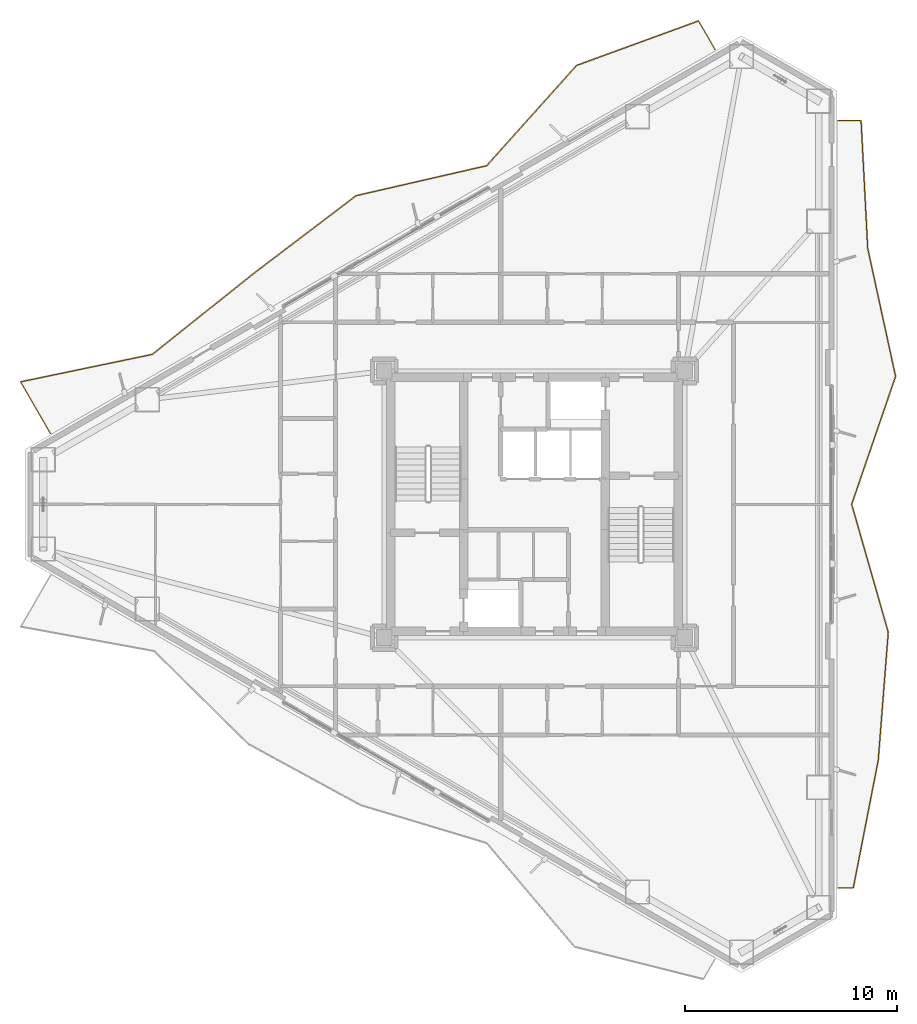
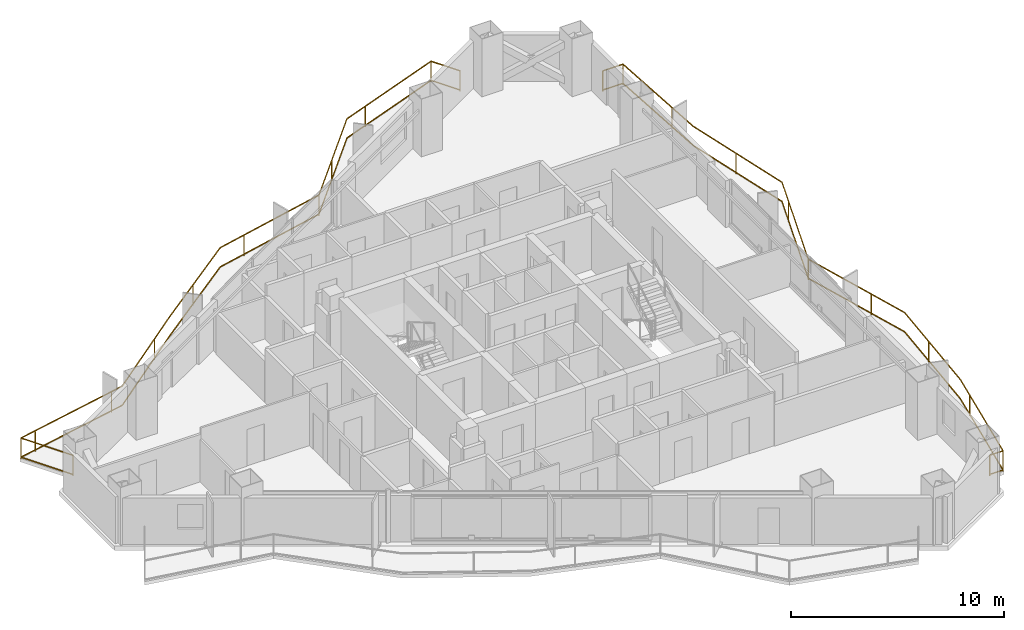
# One storey, part 23 of 23: 2 railings.
"""IFC4 building model written with IfcOpenShell, lengths in metres."""

from ifc_helpers import new_model, si_unit, direction, frame, origin, origin_2d, place, context, subcontext, project, spatial, rectangle, extrude, material, type_object, element, save


model = new_model("IFC4")

# Units and contexts
model_context = context("Model", 3, precision=1e-05, world=origin(), true_north=direction((0.0, 1.0)))
body_context = subcontext(model_context, "Body", "Model", "MODEL_VIEW")
ifc_project = project(units=[si_unit("LENGTHUNIT", "METRE"), si_unit("AREAUNIT", "SQUARE_METRE"), si_unit("VOLUMEUNIT", "CUBIC_METRE"), si_unit("PLANEANGLEUNIT", "RADIAN"), si_unit("MASSUNIT", "GRAM", prefix="KILO")], contexts=[model_context])

# Site, building, storey
site_placement = place(None, origin())
site = spatial("IfcSite", under=ifc_project, at=site_placement, CompositionType="ELEMENT")
building_placement = place(site_placement, origin())
building = spatial("IfcBuilding", under=site, at=building_placement, Name="Mersakhor Tower and Convention Hall", CompositionType="ELEMENT")
storey_placement = place(building_placement, frame((0.0, 0.0, 96.60009765625)))
storey = spatial("IfcBuildingStorey", under=building, at=storey_placement, Name="L26", CompositionType="ELEMENT", Elevation=96.60009765625)

# Railings
ifc_material = material(Name="Powder-coated galvanised steel and laminated glass balustrade", Category="steel")
railing_type = type_object("IfcRailingType", Name="RL-BAL-1200", PredefinedType="BALUSTRADE", material=ifc_material)
railing_1_placement = place(storey_placement, frame((37.541259765625, 48.2333984375, 0.0)))
element("IfcRailing", 1, at=railing_1_placement, inside=storey, type_object=railing_type, Name="L26 Sinusoidal Balcony Balustrade F1", PredefinedType="BALUSTRADE", context=body_context, shape_type="SweptSolid", body=[
    extrude(rectangle(XDim=0.048095703125, YDim=0.048095703125, at=origin_2d()), frame((0.0, 0.0, 1.17578125), z_axis=(-0.499956000529, 0.8660508054, 0.0), x_axis=(-0.8660508054, -0.499956000529, 0.0)), (0.0, 0.0, 1.0), 1.568603515625),
    extrude(rectangle(XDim=0.048095703125, YDim=0.048095703125, at=origin_2d()), frame((0.0, 0.0, 0.080078125), z_axis=(-0.499956000529, 0.8660508054, 0.0), x_axis=(-0.8660508054, -0.499956000529, 0.0)), (0.0, 0.0, 1.0), 1.568603515625),
    extrude(rectangle(XDim=0.048095703125, YDim=0.048095703125, at=origin_2d()), frame((-0.7841796875, 1.3583984375, 1.17578125), z_axis=(-0.939428273683, -0.34274555957, 0.0), x_axis=(0.34274555957, -0.939428273683, 0.0)), (0.0, 0.0, 1.0), 6.138671875),
    extrude(rectangle(XDim=0.048095703125, YDim=0.048095703125, at=origin_2d()), frame((-0.7841796875, 1.3583984375, 0.080078125), z_axis=(-0.939428273683, -0.34274555957, 0.0), x_axis=(0.34274555957, -0.939428273683, 0.0)), (0.0, 0.0, 1.0), 6.138671875),
    extrude(rectangle(XDim=0.048095703125, YDim=0.048095703125, at=origin_2d()), frame((-6.551025390625, -0.74560546875, 1.17578125), z_axis=(-0.667447442193, -0.744656908858, 0.0), x_axis=(0.744656908858, -0.667447442193, 0.0)), (0.0, 0.0, 1.0), 6.362060546875),
    extrude(rectangle(XDim=0.048095703125, YDim=0.048095703125, at=origin_2d()), frame((-6.551025390625, -0.74560546875, 0.080078125), z_axis=(-0.667447442193, -0.744656908858, 0.0), x_axis=(0.744656908858, -0.667447442193, 0.0)), (0.0, 0.0, 1.0), 6.362060546875),
    extrude(rectangle(XDim=0.048095703125, YDim=0.048095703125, at=origin_2d()), frame((-10.79736328125, -5.483154296875, 1.17578125), z_axis=(-0.97468116832, -0.223599239984, 0.0), x_axis=(0.223599239984, -0.97468116832, 0.0)), (0.0, 0.0, 1.0), 6.3251953125),
    extrude(rectangle(XDim=0.048095703125, YDim=0.048095703125, at=origin_2d()), frame((-10.79736328125, -5.483154296875, 0.080078125), z_axis=(-0.97468116832, -0.223599239984, 0.0), x_axis=(0.223599239984, -0.97468116832, 0.0)), (0.0, 0.0, 1.0), 6.3251953125),
    extrude(rectangle(XDim=0.048095703125, YDim=0.048095703125, at=origin_2d()), frame((-16.96240234375, -6.8974609375, 1.17578125), z_axis=(-0.796530273536, -0.604598646492, 0.0), x_axis=(0.604598646492, -0.796530273536, 0.0)), (0.0, 0.0, 1.0), 6.09423828125),
    extrude(rectangle(XDim=0.048095703125, YDim=0.048095703125, at=origin_2d()), frame((-16.96240234375, -6.8974609375, 0.080078125), z_axis=(-0.796530273536, -0.604598646492, 0.0), x_axis=(0.604598646492, -0.796530273536, 0.0)), (0.0, 0.0, 1.0), 6.09423828125),
    extrude(rectangle(XDim=0.048095703125, YDim=0.048095703125, at=origin_2d()), frame((-21.816650390625, -10.58203125, 1.17578125), z_axis=(-0.781476066727, -0.623935218699, 0.0), x_axis=(0.623935218699, -0.781476066727, 0.0)), (0.0, 0.0, 1.0), 6.114990234375),
    extrude(rectangle(XDim=0.048095703125, YDim=0.048095703125, at=origin_2d()), frame((-21.816650390625, -10.58203125, 0.080078125), z_axis=(-0.781476066727, -0.623935218699, 0.0), x_axis=(0.623935218699, -0.781476066727, 0.0)), (0.0, 0.0, 1.0), 6.114990234375),
    extrude(rectangle(XDim=0.048095703125, YDim=0.048095703125, at=origin_2d()), frame((-26.595458984375, -14.3974609375, 1.17578125), z_axis=(-0.978962866858, -0.204038489782, 0.0), x_axis=(0.204038489782, -0.978962866858, 0.0)), (0.0, 0.0, 1.0), 6.36572265625),
    extrude(rectangle(XDim=0.048095703125, YDim=0.048095703125, at=origin_2d()), frame((-26.595458984375, -14.3974609375, 0.080078125), z_axis=(-0.978962866858, -0.204038489782, 0.0), x_axis=(0.204038489782, -0.978962866858, 0.0)), (0.0, 0.0, 1.0), 6.36572265625),
    extrude(rectangle(XDim=0.048095703125, YDim=0.048095703125, at=origin_2d()), frame((-32.8271484375, -15.6962890625, 1.17578125), z_axis=(0.499947271324, -0.866055844559, 0.0), x_axis=(0.866055844559, 0.499947271324, 0.0)), (0.0, 0.0, 1.0), 2.820068359375),
    extrude(rectangle(XDim=0.048095703125, YDim=0.048095703125, at=origin_2d()), frame((-32.8271484375, -15.6962890625, 0.080078125), z_axis=(0.499947271324, -0.866055844559, 0.0), x_axis=(0.866055844559, 0.499947271324, 0.0)), (0.0, 0.0, 1.0), 2.820068359375),
    extrude(rectangle(XDim=0.0419921875, YDim=0.0419921875, at=origin_2d()), origin(), (0.0, 0.0, 1.0), 1.15185546875),
    extrude(rectangle(XDim=0.0419921875, YDim=0.0419921875, at=origin_2d()), frame((-0.7841796875, 1.3583984375, 0.0)), (0.0, 0.0, 1.0), 1.15185546875),
    extrude(rectangle(XDim=0.0419921875, YDim=0.0419921875, at=origin_2d()), frame((-5.29345703125, -0.286865234375, 0.0)), (0.0, 0.0, 1.0), 1.15185546875),
    extrude(rectangle(XDim=0.0419921875, YDim=0.0419921875, at=origin_2d()), frame((-8.861328125, -3.322998046875, 0.0)), (0.0, 0.0, 1.0), 1.15185546875),
    extrude(rectangle(XDim=0.0419921875, YDim=0.0419921875, at=origin_2d()), frame((-10.79736328125, -5.483154296875, 0.0)), (0.0, 0.0, 1.0), 1.15185546875),
    extrude(rectangle(XDim=0.0419921875, YDim=0.0419921875, at=origin_2d()), frame((-15.475830078125, -6.556396484375, 0.0)), (0.0, 0.0, 1.0), 1.15185546875),
    extrude(rectangle(XDim=0.0419921875, YDim=0.0419921875, at=origin_2d()), frame((-19.57080078125, -8.87744140625, 0.0)), (0.0, 0.0, 1.0), 1.15185546875),
    extrude(rectangle(XDim=0.0419921875, YDim=0.0419921875, at=origin_2d()), frame((-23.364501953125, -11.81787109375, 0.0)), (0.0, 0.0, 1.0), 1.15185546875),
    extrude(rectangle(XDim=0.0419921875, YDim=0.0419921875, at=origin_2d()), frame((-27.246826171875, -14.533203125, 0.0)), (0.0, 0.0, 1.0), 1.15185546875),
    extrude(rectangle(XDim=0.0419921875, YDim=0.0419921875, at=origin_2d()), frame((-31.946044921875, -15.5126953125, 0.0)), (0.0, 0.0, 1.0), 1.15185546875),
    extrude(rectangle(XDim=0.0419921875, YDim=0.0419921875, at=origin_2d()), frame((-32.8271484375, -15.6962890625, 0.0)), (0.0, 0.0, 1.0), 1.15185546875),
    extrude(rectangle(XDim=0.0419921875, YDim=0.0419921875, at=origin_2d()), frame((-31.417236328125, -18.138671875, 0.0)), (0.0, 0.0, 1.0), 1.15185546875),
])
railing_2_placement = place(storey_placement, frame((43.334716796875, 8.611328125, 0.0)))
element("IfcRailing", 2, at=railing_2_placement, inside=storey, type_object=railing_type, Name="L26 Sinusoidal Balcony Balustrade F2", PredefinedType="BALUSTRADE", context=body_context, shape_type="SweptSolid", body=[
    extrude(rectangle(XDim=0.048095703125, YDim=0.048095703125, at=origin_2d()), frame((0.0, 0.0, 1.17578125), z_axis=(1.0, 0.0, 0.0), x_axis=(0.0, 1.0, 0.0)), (0.0, 0.0, 1.0), 0.723876953125),
    extrude(rectangle(XDim=0.048095703125, YDim=0.048095703125, at=origin_2d()), frame((0.0, 0.0, 0.080078125), z_axis=(1.0, 0.0, 0.0), x_axis=(0.0, 1.0, 0.0)), (0.0, 0.0, 1.0), 0.723876953125),
    extrude(rectangle(XDim=0.048095703125, YDim=0.048095703125, at=origin_2d()), frame((0.723876953125, 0.0, 1.17578125), z_axis=(0.191846483694, 0.981424947051, 0.0), x_axis=(-0.981424947051, 0.191846483694, 0.0)), (0.0, 0.0, 1.0), 6.16064453125),
    extrude(rectangle(XDim=0.048095703125, YDim=0.048095703125, at=origin_2d()), frame((0.723876953125, 0.0, 0.080078125), z_axis=(0.191846483694, 0.981424947051, 0.0), x_axis=(-0.981424947051, 0.191846483694, 0.0)), (0.0, 0.0, 1.0), 6.16064453125),
    extrude(rectangle(XDim=0.048095703125, YDim=0.048095703125, at=origin_2d()), frame((1.90576171875, 6.046142578125, 1.17578125), z_axis=(0.078093969349, 0.996946002525, 0.0), x_axis=(-0.996946002525, 0.078093969349, 0.0)), (0.0, 0.0, 1.0), 6.06494140625),
    extrude(rectangle(XDim=0.048095703125, YDim=0.048095703125, at=origin_2d()), frame((1.90576171875, 6.046142578125, 0.080078125), z_axis=(0.078093969349, 0.996946002525, 0.0), x_axis=(-0.996946002525, 0.078093969349, 0.0)), (0.0, 0.0, 1.0), 6.06494140625),
    extrude(rectangle(XDim=0.048095703125, YDim=0.048095703125, at=origin_2d()), frame((2.37939453125, 12.092529296875, 1.17578125), z_axis=(-0.27501850967, 0.961438931674, 0.0), x_axis=(-0.961438931674, -0.27501850967, 0.0)), (0.0, 0.0, 1.0), 6.28857421875),
    extrude(rectangle(XDim=0.048095703125, YDim=0.048095703125, at=origin_2d()), frame((2.37939453125, 12.092529296875, 0.080078125), z_axis=(-0.27501850967, 0.961438931674, 0.0), x_axis=(-0.961438931674, -0.27501850967, 0.0)), (0.0, 0.0, 1.0), 6.28857421875),
    extrude(rectangle(XDim=0.048095703125, YDim=0.048095703125, at=origin_2d()), frame((0.64990234375, 18.138671875, 1.17578125), z_axis=(0.324636765857, 0.945838765464, 0.0), x_axis=(-0.945838765464, 0.324636765857, 0.0)), (0.0, 0.0, 1.0), 6.392333984375),
    extrude(rectangle(XDim=0.048095703125, YDim=0.048095703125, at=origin_2d()), frame((0.64990234375, 18.138671875, 0.080078125), z_axis=(0.324636765857, 0.945838765464, 0.0), x_axis=(-0.945838765464, 0.324636765857, 0.0)), (0.0, 0.0, 1.0), 6.392333984375),
    extrude(rectangle(XDim=0.048095703125, YDim=0.048095703125, at=origin_2d()), frame((2.72509765625, 24.184814453125, 1.17578125), z_axis=(-0.212847296522, 0.977085476488, 0.0), x_axis=(-0.977085476488, -0.212847296522, 0.0)), (0.0, 0.0, 1.0), 6.188232421875),
    extrude(rectangle(XDim=0.048095703125, YDim=0.048095703125, at=origin_2d()), frame((2.72509765625, 24.184814453125, 0.080078125), z_axis=(-0.212847296522, 0.977085476488, 0.0), x_axis=(-0.977085476488, -0.212847296522, 0.0)), (0.0, 0.0, 1.0), 6.188232421875),
    extrude(rectangle(XDim=0.048095703125, YDim=0.048095703125, at=origin_2d()), frame((1.407958984375, 30.231201171875, 1.17578125), z_axis=(-0.051697383595, 0.998662796208, 0.0), x_axis=(-0.998662796208, -0.051697383595, 0.0)), (0.0, 0.0, 1.0), 6.05419921875),
    extrude(rectangle(XDim=0.048095703125, YDim=0.048095703125, at=origin_2d()), frame((1.407958984375, 30.231201171875, 0.080078125), z_axis=(-0.051697383595, 0.998662796208, 0.0), x_axis=(-0.998662796208, -0.051697383595, 0.0)), (0.0, 0.0, 1.0), 6.05419921875),
    extrude(rectangle(XDim=0.048095703125, YDim=0.048095703125, at=origin_2d()), frame((1.094970703125, 36.27734375, 1.17578125), z_axis=(-1.0, 0.0, 0.0), x_axis=(0.0, -1.0, 0.0)), (0.0, 0.0, 1.0), 1.094970703125),
    extrude(rectangle(XDim=0.048095703125, YDim=0.048095703125, at=origin_2d()), frame((1.094970703125, 36.27734375, 0.080078125), z_axis=(-1.0, 0.0, 0.0), x_axis=(0.0, -1.0, 0.0)), (0.0, 0.0, 1.0), 1.094970703125),
    extrude(rectangle(XDim=0.0419921875, YDim=0.0419921875, at=origin_2d()), origin(), (0.0, 0.0, 1.0), 1.15185546875),
    extrude(rectangle(XDim=0.0419921875, YDim=0.0419921875, at=origin_2d()), frame((0.723876953125, 0.0, 0.0)), (0.0, 0.0, 1.0), 1.15185546875),
    extrude(rectangle(XDim=0.0419921875, YDim=0.0419921875, at=origin_2d()), frame((1.644775390625, 4.7109375, 0.0)), (0.0, 0.0, 1.0), 1.15185546875),
    extrude(rectangle(XDim=0.0419921875, YDim=0.0419921875, at=origin_2d()), frame((2.17431640625, 9.47509765625, 0.0)), (0.0, 0.0, 1.0), 1.15185546875),
    extrude(rectangle(XDim=0.0419921875, YDim=0.0419921875, at=origin_2d()), frame((1.78125, 14.18310546875, 0.0)), (0.0, 0.0, 1.0), 1.15185546875),
    extrude(rectangle(XDim=0.0419921875, YDim=0.0419921875, at=origin_2d()), frame((0.64990234375, 18.138671875, 0.0)), (0.0, 0.0, 1.0), 1.15185546875),
    extrude(rectangle(XDim=0.0419921875, YDim=0.0419921875, at=origin_2d()), frame((2.208251953125, 22.6787109375, 0.0)), (0.0, 0.0, 1.0), 1.15185546875),
    extrude(rectangle(XDim=0.0419921875, YDim=0.0419921875, at=origin_2d()), frame((2.04248046875, 27.31884765625, 0.0)), (0.0, 0.0, 1.0), 1.15185546875),
    extrude(rectangle(XDim=0.0419921875, YDim=0.0419921875, at=origin_2d()), frame((1.31396484375, 32.04833984375, 0.0)), (0.0, 0.0, 1.0), 1.15185546875),
    extrude(rectangle(XDim=0.0419921875, YDim=0.0419921875, at=origin_2d()), frame((1.094970703125, 36.27734375, 0.0)), (0.0, 0.0, 1.0), 1.15185546875),
    extrude(rectangle(XDim=0.0419921875, YDim=0.0419921875, at=origin_2d()), frame((0.0, 36.27734375, 0.0)), (0.0, 0.0, 1.0), 1.15185546875),
])

save(model, "model.ifc")
